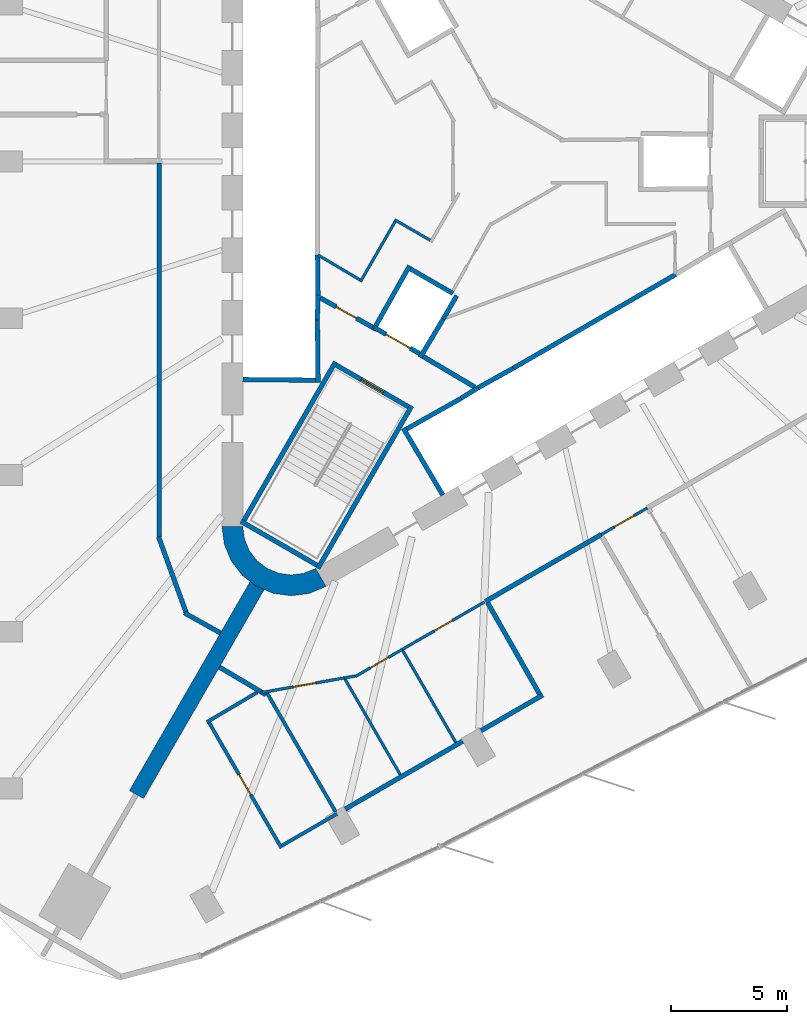
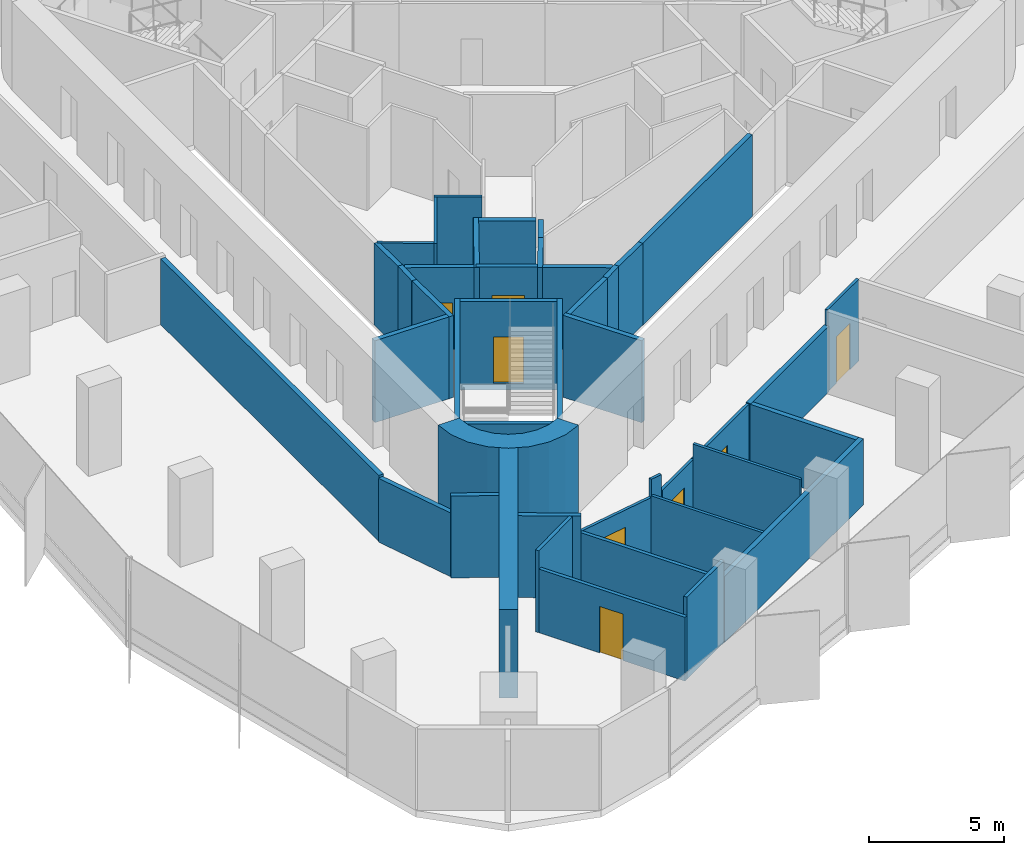
# One storey, part 8 of 14: 43 walls, 8 doors, 8 openings.
"""IFC4 building model written with IfcOpenShell, lengths in metres."""

from ifc_helpers import new_model, si_unit, direction, frame, frame_2d, origin, place, context, subcontext, project, spatial, polyline, rectangle, outline, extrude, material, layer, layer_set, type_object, element, fill, save


model = new_model("IFC4")

# Units and contexts
model_context = context("Model", 3, precision=1e-05, world=origin(), true_north=direction((0.0, 1.0)))
body_context = subcontext(model_context, "Body", "Model", "MODEL_VIEW")
ifc_project = project(units=[si_unit("LENGTHUNIT", "METRE"), si_unit("AREAUNIT", "SQUARE_METRE"), si_unit("VOLUMEUNIT", "CUBIC_METRE"), si_unit("PLANEANGLEUNIT", "RADIAN"), si_unit("MASSUNIT", "GRAM", prefix="KILO")], contexts=[model_context])

# Site, building, storey
site_placement = place(None, origin())
site = spatial("IfcSite", under=ifc_project, at=site_placement, CompositionType="ELEMENT")
building_placement = place(site_placement, origin())
building = spatial("IfcBuilding", under=site, at=building_placement, Name="Tanit Gate Tower", CompositionType="ELEMENT")
storey_placement = place(building_placement, frame((0.0, 0.0, 257.199951171875)))
storey = spatial("IfcBuildingStorey", under=building, at=storey_placement, Name="L58", CompositionType="ELEMENT", Elevation=257.199951171875)

# Walls
ifc_material_1 = material(Name="Concrete C50/60", Category="concrete")
ifc_layer_1 = layer(ifc_material_1, 0.699951171875)
ifc_layer_set_1 = layer_set([ifc_layer_1], Name="BUTTRESS FIN 700 C50/60")
wall_type_1 = type_object("IfcWallType", Name="BUTTRESS FIN 700 C50/60", PredefinedType="SHEAR", material=ifc_layer_set_1)
wall_1_placement = place(storey_placement, frame((-10.574951171875, -18.31640625, 0.0), z_axis=(0.0, 0.0, 1.0), x_axis=(-0.500010108608, -0.866019567498, 0.0)))
element("IfcWall", 1, at=wall_1_placement, inside=storey, type_object=wall_type_1, Name="BUTTRESS FIN", PredefinedType="SHEAR", context=body_context, shape_type="SweptSolid", body=[
    extrude(rectangle(XDim=10.432373046875, YDim=0.699951171875, at=frame_2d((5.21630859375, 0.0))), origin(), (0.0, 0.0, 1.0), 4.0),
])
ifc_material_2 = material(Name="Concrete C50/60", Category="concrete")
ifc_layer_2 = layer(ifc_material_2, 0.89990234375)
ifc_layer_set_2 = layer_set([ifc_layer_2], Name="CORE WALL 900 C50/60")
wall_type_2 = type_object("IfcWallType", Name="CORE WALL 900 C50/60", PredefinedType="SHEAR", material=ifc_layer_set_2)
wall_2_placement = place(storey_placement, origin())
element("IfcWall", 2, at=wall_2_placement, inside=storey, type_object=wall_type_2, Name="CORE WALL CORNER", PredefinedType="SHEAR", context=body_context, shape_type="SweptSolid", body=[
    extrude(outline(polyline([(-12.10009765625, -15.76171875), (-11.997802734375, -16.5380859375), (-11.697998046875, -17.26171875), (-11.22119140625, -17.883056640625), (-10.60009765625, -18.359619140625), (-9.87646484375, -18.659423828125), (-9.10009765625, -18.76171875), (-8.323486328125, -18.659423828125), (-7.60009765625, -18.359619140625), (-8.050048828125, -17.580322265625), (-8.556396484375, -17.7900390625), (-9.10009765625, -17.86181640625), (-9.6435546875, -17.7900390625), (-10.14990234375, -17.580322265625), (-10.5849609375, -17.24658203125), (-10.918701171875, -16.811767578125), (-11.12841796875, -16.30517578125), (-11.199951171875, -15.76171875), (-12.10009765625, -15.76171875)])), origin(), (0.0, 0.0, 1.0), 4.0),
])
ifc_material_3 = material(Name="Fire-rated gypsum board partition")
ifc_layer_3 = layer(ifc_material_3, 0.199951171875)
ifc_layer_set_3 = layer_set([ifc_layer_3], Name="INT-WALL-COMPARTMENT")
wall_type_3 = type_object("IfcWallType", Name="INT-WALL-COMPARTMENT", PredefinedType="PARTITIONING", material=ifc_layer_set_3)
wall_3_placement = place(storey_placement, frame((-3.400634765625, -8.43017578125, 0.0), z_axis=(0.0, 0.0, 1.0), x_axis=(0.860615607571, -0.509255118781, 0.0)))
element("IfcWall", 3, at=wall_3_placement, inside=storey, type_object=wall_type_3, Name="Wall Compartment W066", PredefinedType="PARTITIONING", context=body_context, shape_type="SweptSolid", body=[
    extrude(rectangle(XDim=2.58056640625, YDim=0.199951171875, at=frame_2d((1.290283203125, 0.0))), origin(), (0.0, 0.0, 1.0), 3.699951171875),
])

# Wall, opening, door
wall_4_placement = place(storey_placement, frame((-7.849365234375, -5.893798828125, 0.0), z_axis=(0.0, 0.0, 1.0), x_axis=(0.871363259478, -0.490638431059, 0.0)))
wall_4 = element("IfcWall", 4, at=wall_4_placement, inside=storey, type_object=wall_type_3, Name="Wall Compartment W067", PredefinedType="PARTITIONING", context=body_context, shape_type="SweptSolid", body=[
    extrude(rectangle(XDim=2.5810546875, YDim=0.199951171875, at=frame_2d((1.29052734375, 0.0))), origin(), (0.0, 0.0, 1.0), 3.699951171875),
])
opening_1_placement = place(wall_4_placement, frame((0.79052734375, 0.0, 0.0)))
opening_1 = element("IfcOpeningElement", 5, at=opening_1_placement, cuts=wall_4, Name="Opening F10-S16-08", PredefinedType="OPENING", context=body_context, shape_type="SweptSolid", body=[
    extrude(rectangle(XDim=1.0, YDim=2.10009765625, at=frame_2d((0.5, 1.050048828125))), frame((0.0, 0.10986328125, 0.0), z_axis=(0.0, -1.0, 0.0), x_axis=(1.0, 0.0, 0.0)), (0.0, 0.0, 1.0), 0.219970703125),
])
ifc_material_4 = material(Name="Fire-rated steel door leaf", Category="steel")
door_type_1 = type_object("IfcDoorType", Name="INT-DOOR-FIRE-1000", OperationType="NOTDEFINED", PredefinedType="USERDEFINED", material=ifc_material_4)
door_1_placement = place(opening_1_placement, origin())
door_1 = element("IfcDoor", 6, at=door_1_placement, inside=storey, type_object=door_type_1, Name="Door F10-S16-08", ObjectType="FIRE DOOR", OperationType="SINGLE_SWING_RIGHT", OverallHeight=2.10009765625, OverallWidth=1.0, PredefinedType="USERDEFINED", context=body_context, shape_type="SweptSolid", body=[
    extrude(rectangle(XDim=1.0, YDim=2.10009765625, at=frame_2d((0.5, 1.050048828125))), frame((0.0, 0.02490234375, 0.0), z_axis=(0.0, -1.0, 0.0), x_axis=(1.0, 0.0, 0.0)), (0.0, 0.0, 1.0), 0.050048828125),
])
fill(opening_1, door_1)

# Walls
wall_5_placement = place(storey_placement, frame((-13.722412109375, -19.499267578125, 0.0), z_axis=(0.0, 0.0, 1.0), x_axis=(0.873381780332, -0.487036205824, 0.0)))
element("IfcWall", 7, at=wall_5_placement, inside=storey, type_object=wall_type_3, Name="Wall Compartment W096", PredefinedType="PARTITIONING", context=body_context, shape_type="SweptSolid", body=[
    extrude(rectangle(XDim=1.78466796875, YDim=0.199951171875, at=frame_2d((0.892333984375, 0.0))), origin(), (0.0, 0.0, 1.0), 3.699951171875),
])
wall_6_placement = place(storey_placement, frame((-14.834228515625, -16.22314453125, 0.0), z_axis=(0.0, 0.0, 1.0), x_axis=(0.342017717312, -0.939693503779, 0.0)))
element("IfcWall", 8, at=wall_6_placement, inside=storey, type_object=wall_type_3, Name="Wall Compartment W097", PredefinedType="PARTITIONING", context=body_context, shape_type="SweptSolid", body=[
    extrude(rectangle(XDim=3.4970703125, YDim=0.199951171875, at=frame_2d((1.74853515625, 0.0))), origin(), (0.0, 0.0, 1.0), 2.880126953125),
])
wall_7_placement = place(storey_placement, frame((-14.800048828125, -0.070068359375, 0.0), z_axis=(0.0, 0.0, 1.0), x_axis=(0.0, -1.0, 0.0)))
element("IfcWall", 9, at=wall_7_placement, inside=storey, type_object=wall_type_3, Name="Wall Compartment W098", PredefinedType="PARTITIONING", context=body_context, shape_type="SweptSolid", body=[
    extrude(rectangle(XDim=16.14697265625, YDim=0.199951171875, at=frame_2d((8.073486328125, 0.0))), origin(), (0.0, 0.0, 1.0), 2.97998046875),
])
wall_8_placement = place(storey_placement, frame((-0.722900390625, -19.008056640625, 0.0), z_axis=(0.0, 0.0, 1.0), x_axis=(0.866014659605, 0.500018609004, 0.0)))
element("IfcWall", 10, at=wall_8_placement, inside=storey, type_object=wall_type_3, Name="Wall Compartment W115", PredefinedType="PARTITIONING", context=body_context, shape_type="SweptSolid", body=[
    extrude(rectangle(XDim=5.780029296875, YDim=0.199951171875, at=frame_2d((2.89013671875, 0.0))), origin(), (0.0, 0.0, 1.0), 2.97998046875),
])
wall_9_placement = place(storey_placement, frame((-12.207275390625, -21.843505859375, 0.0), z_axis=(0.0, 0.0, 1.0), x_axis=(0.859839010211, -0.510565251971, 0.0)))
element("IfcWall", 11, at=wall_9_placement, inside=storey, type_object=wall_type_3, Name="Wall Compartment W114", PredefinedType="PARTITIONING", context=body_context, shape_type="SweptSolid", body=[
    extrude(rectangle(XDim=2.341552734375, YDim=0.199951171875, at=frame_2d((1.1708984375, 0.0))), origin(), (0.0, 0.0, 1.0), 3.699951171875),
])
wall_10_placement = place(storey_placement, frame((1.759765625, -23.0478515625, 0.0), z_axis=(0.0, 0.0, 1.0), x_axis=(-0.866021621257, -0.500006551472, 0.0)))
element("IfcWall", 12, at=wall_10_placement, inside=storey, type_object=wall_type_3, Name="Wall Compartment W139", PredefinedType="PARTITIONING", context=body_context, shape_type="SweptSolid", body=[
    extrude(rectangle(XDim=10.265380859375, YDim=0.199951171875, at=frame_2d((5.1328125, 0.0))), origin(), (0.0, 0.0, 1.0), 2.97998046875),
])
wall_11_placement = place(storey_placement, frame((1.623779296875, -23.010986328125, 0.0), z_axis=(0.0, 0.0, 1.0), x_axis=(-0.49451654464, 0.869168215639, 0.0)))
element("IfcWall", 13, at=wall_11_placement, inside=storey, type_object=wall_type_3, Name="Wall Compartment W140", PredefinedType="PARTITIONING", context=body_context, shape_type="SweptSolid", body=[
    extrude(rectangle(XDim=4.5400390625, YDim=0.199951171875, at=frame_2d((2.27001953125, 0.0))), origin(), (0.0, 0.0, 1.0), 2.97998046875),
])
ifc_material_5 = material(Name="Gypsum board partition")
ifc_layer_4 = layer(ifc_material_5, 0.1201171875)
ifc_layer_set_4 = layer_set([ifc_layer_4], Name="INT-WALL-PARTITION")
wall_type_4 = type_object("IfcWallType", Name="INT-WALL-PARTITION", PredefinedType="PARTITIONING", material=ifc_layer_set_4)
wall_12_placement = place(storey_placement, frame((-4.64013671875, -2.51708984375, 0.0), z_axis=(0.0, 0.0, 1.0), x_axis=(0.866025242659, -0.500000279077, 0.0)))
element("IfcWall", 14, at=wall_12_placement, inside=storey, type_object=wall_type_4, Name="Wall Partition W084", PredefinedType="PARTITIONING", context=body_context, shape_type="SweptSolid", body=[
    extrude(rectangle(XDim=1.77490234375, YDim=0.1201171875, at=frame_2d((0.887451171875, 0.0))), origin(), (0.0, 0.0, 1.0), 3.699951171875),
])
wall_13_placement = place(storey_placement, frame((-6.1181640625, -5.197265625, 0.0), z_axis=(0.0, 0.0, 1.0), x_axis=(0.499990139034, 0.866031096941, 0.0)))
element("IfcWall", 15, at=wall_13_placement, inside=storey, type_object=wall_type_4, Name="Wall Partition W085", PredefinedType="PARTITIONING", context=body_context, shape_type="SweptSolid", body=[
    extrude(rectangle(XDim=3.0, YDim=0.1201171875, at=frame_2d((1.5, 0.0))), origin(), (0.0, 0.0, 1.0), 3.699951171875),
])
wall_14_placement = place(storey_placement, frame((-7.949951171875, -4.041015625, 0.0), z_axis=(0.0, 0.0, 1.0), x_axis=(0.860112457103, -0.510104461004, 0.0)))
element("IfcWall", 16, at=wall_14_placement, inside=storey, type_object=wall_type_4, Name="Wall Partition W086", PredefinedType="PARTITIONING", context=body_context, shape_type="SweptSolid", body=[
    extrude(rectangle(XDim=2.1044921875, YDim=0.1201171875, at=frame_2d((1.05224609375, 0.0))), origin(), (0.0, 0.0, 1.0), 3.699951171875),
])

# Wall, opening, door
wall_15_placement = place(storey_placement, frame((-6.33154296875, -22.24609375, 0.0), z_axis=(0.0, 0.0, 1.0), x_axis=(0.866059848015, 0.499940336097, 0.0)))
wall_15 = element("IfcWall", 17, at=wall_15_placement, inside=storey, type_object=wall_type_4, Name="Wall Partition W117", PredefinedType="PARTITIONING", context=body_context, shape_type="SweptSolid", body=[
    extrude(rectangle(XDim=2.327880859375, YDim=0.1201171875, at=frame_2d((1.1640625, 0.0))), origin(), (0.0, 0.0, 1.0), 2.97998046875),
])
opening_2_placement = place(wall_15_placement, frame((0.743896484375, 0.0, 0.0)))
opening_2 = element("IfcOpeningElement", 18, at=opening_2_placement, cuts=wall_15, Name="Opening D09-S16-24", PredefinedType="OPENING", context=body_context, shape_type="SweptSolid", body=[
    extrude(rectangle(XDim=0.89990234375, YDim=2.10009765625, at=frame_2d((0.449951171875, 1.050048828125))), frame((0.0, 0.070068359375, 0.0), z_axis=(0.0, -1.0, 0.0), x_axis=(1.0, 0.0, 0.0)), (0.0, 0.0, 1.0), 0.14013671875),
])
ifc_material_6 = material(Name="Timber door leaf", Category="wood")
door_type_2 = type_object("IfcDoorType", Name="INT-DOOR-SINGLE-900", OperationType="NOTDEFINED", PredefinedType="NOTDEFINED", material=ifc_material_6)
door_2_placement = place(opening_2_placement, origin())
door_2 = element("IfcDoor", 19, at=door_2_placement, inside=storey, type_object=door_type_2, Name="Door D09-S16-24", OperationType="SINGLE_SWING_RIGHT", OverallHeight=2.10009765625, OverallWidth=0.89990234375, PredefinedType="NOTDEFINED", context=body_context, shape_type="SweptSolid", body=[
    extrude(rectangle(XDim=0.89990234375, YDim=2.10009765625, at=frame_2d((0.449951171875, 1.050048828125))), frame((0.0, 0.02490234375, 0.0), z_axis=(0.0, -1.0, 0.0), x_axis=(1.0, 0.0, 0.0)), (0.0, 0.0, 1.0), 0.050048828125),
])
fill(opening_2, door_2)

wall_16_placement = place(storey_placement, frame((-4.3154296875, -21.082275390625, 0.0), z_axis=(0.0, 0.0, 1.0), x_axis=(0.866018339482, 0.500012235531, 0.0)))
wall_16 = element("IfcWall", 20, at=wall_16_placement, inside=storey, type_object=wall_type_4, Name="Wall Partition W116", PredefinedType="PARTITIONING", context=body_context, shape_type="SweptSolid", body=[
    extrude(rectangle(XDim=4.1083984375, YDim=0.1201171875, at=frame_2d((2.05419921875, 0.0))), origin(), (0.0, 0.0, 1.0), 2.97998046875),
])
opening_3_placement = place(wall_16_placement, frame((1.604248046875, 0.0, 0.0)))
opening_3 = element("IfcOpeningElement", 21, at=opening_3_placement, cuts=wall_16, Name="Opening D09-S16-23", PredefinedType="OPENING", context=body_context, shape_type="SweptSolid", body=[
    extrude(rectangle(XDim=0.89990234375, YDim=2.10009765625, at=frame_2d((0.449951171875, 1.050048828125))), frame((0.0, 0.070068359375, 0.0), z_axis=(0.0, -1.0, 0.0), x_axis=(1.0, 0.0, 0.0)), (0.0, 0.0, 1.0), 0.14013671875),
])
door_3_placement = place(opening_3_placement, origin())
door_3 = element("IfcDoor", 22, at=door_3_placement, inside=storey, type_object=door_type_2, Name="Door D09-S16-23", OperationType="SINGLE_SWING_LEFT", OverallHeight=2.10009765625, OverallWidth=0.89990234375, PredefinedType="NOTDEFINED", context=body_context, shape_type="SweptSolid", body=[
    extrude(rectangle(XDim=0.89990234375, YDim=2.10009765625, at=frame_2d((0.449951171875, 1.050048828125))), frame((0.0, 0.02490234375, 0.0), z_axis=(0.0, -1.0, 0.0), x_axis=(1.0, 0.0, 0.0)), (0.0, 0.0, 1.0), 0.050048828125),
])
fill(opening_3, door_3)

wall_17_placement = place(storey_placement, frame((4.28271484375, -16.117919921875, 0.0), z_axis=(0.0, 0.0, 1.0), x_axis=(0.866053019151, 0.499952165731, 0.0)))
wall_17 = element("IfcWall", 23, at=wall_17_placement, inside=storey, type_object=wall_type_4, Name="Wall Partition W109", PredefinedType="PARTITIONING", context=body_context, shape_type="SweptSolid", body=[
    extrude(rectangle(XDim=2.300048828125, YDim=0.1201171875, at=frame_2d((1.14990234375, 0.0))), origin(), (0.0, 0.0, 1.0), 3.699951171875),
])
opening_4_placement = place(wall_17_placement, frame((0.64990234375, 0.0, 0.0)))
opening_4 = element("IfcOpeningElement", 24, at=opening_4_placement, cuts=wall_17, Name="Opening D10-S16-22", PredefinedType="OPENING", context=body_context, shape_type="SweptSolid", body=[
    extrude(rectangle(XDim=1.0, YDim=2.10009765625, at=frame_2d((0.5, 1.050048828125))), frame((0.0, 0.070068359375, 0.0), z_axis=(0.0, -1.0, 0.0), x_axis=(1.0, 0.0, 0.0)), (0.0, 0.0, 1.0), 0.14013671875),
])
ifc_material_7 = material(Name="Timber door leaf", Category="wood")
door_type_3 = type_object("IfcDoorType", Name="INT-DOOR-SINGLE-1000", OperationType="NOTDEFINED", PredefinedType="NOTDEFINED", material=ifc_material_7)
door_4_placement = place(opening_4_placement, origin())
door_4 = element("IfcDoor", 25, at=door_4_placement, inside=storey, type_object=door_type_3, Name="Door D10-S16-22", OperationType="SINGLE_SWING_RIGHT", OverallHeight=2.10009765625, OverallWidth=1.0, PredefinedType="NOTDEFINED", context=body_context, shape_type="SweptSolid", body=[
    extrude(rectangle(XDim=1.0, YDim=2.10009765625, at=frame_2d((0.5, 1.050048828125))), frame((0.0, 0.02490234375, 0.0), z_axis=(0.0, -1.0, 0.0), x_axis=(1.0, 0.0, 0.0)), (0.0, 0.0, 1.0), 0.050048828125),
])
fill(opening_4, door_4)

wall_18_placement = place(storey_placement, frame((-10.44775390625, -22.951171875, 0.0), z_axis=(0.0, 0.0, 1.0), x_axis=(0.984811576761, 0.173626490713, 0.0)))
wall_18 = element("IfcWall", 26, at=wall_18_placement, inside=storey, type_object=wall_type_4, Name="Wall Partition W119", PredefinedType="PARTITIONING", context=body_context, shape_type="SweptSolid", body=[
    extrude(rectangle(XDim=3.6826171875, YDim=0.1201171875, at=frame_2d((1.84130859375, 0.0))), origin(), (0.0, 0.0, 1.0), 2.880126953125),
])
opening_5_placement = place(wall_18_placement, frame((1.44384765625, 0.0, 0.0)))
opening_5 = element("IfcOpeningElement", 27, at=opening_5_placement, cuts=wall_18, Name="Opening D10-S16-25", PredefinedType="OPENING", context=body_context, shape_type="SweptSolid", body=[
    extrude(rectangle(XDim=1.0, YDim=2.10009765625, at=frame_2d((0.5, 1.050048828125))), frame((0.0, 0.070068359375, 0.0), z_axis=(0.0, -1.0, 0.0), x_axis=(1.0, 0.0, 0.0)), (0.0, 0.0, 1.0), 0.14013671875),
])
door_5_placement = place(opening_5_placement, origin())
door_5 = element("IfcDoor", 28, at=door_5_placement, inside=storey, type_object=door_type_3, Name="Door D10-S16-25", OperationType="SINGLE_SWING_RIGHT", OverallHeight=2.10009765625, OverallWidth=1.0, PredefinedType="NOTDEFINED", context=body_context, shape_type="SweptSolid", body=[
    extrude(rectangle(XDim=1.0, YDim=2.10009765625, at=frame_2d((0.5, 1.050048828125))), frame((0.0, 0.02490234375, 0.0), z_axis=(0.0, -1.0, 0.0), x_axis=(1.0, 0.0, 0.0)), (0.0, 0.0, 1.0), 0.050048828125),
])
fill(opening_5, door_5)

# Walls
wall_19_placement = place(storey_placement, frame((-6.821044921875, -22.311767578125, 0.0), z_axis=(0.0, 0.0, 1.0), x_axis=(0.984758463347, 0.173927481634, 0.0)))
element("IfcWall", 29, at=wall_19_placement, inside=storey, type_object=wall_type_4, Name="Wall Partition W118", PredefinedType="PARTITIONING", context=body_context, shape_type="SweptSolid", body=[
    extrude(rectangle(XDim=0.489990234375, YDim=0.1201171875, at=frame_2d((0.2451171875, 0.0))), origin(), (0.0, 0.0, 1.0), 3.699951171875),
])
wall_20_placement = place(storey_placement, frame((-4.285400390625, -21.134033203125, 0.0), z_axis=(0.0, 0.0, 1.0), x_axis=(0.49999161165, -0.866030246746, 0.0)))
element("IfcWall", 30, at=wall_20_placement, inside=storey, type_object=wall_type_4, Name="Wall Partition W146", PredefinedType="PARTITIONING", context=body_context, shape_type="SweptSolid", body=[
    extrude(rectangle(XDim=4.580078125, YDim=0.1201171875, at=frame_2d((2.2900390625, 0.0))), origin(), (0.0, 0.0, 1.0), 3.699951171875),
])
wall_21_placement = place(storey_placement, frame((-4.39892578125, -26.48828125, 0.0), z_axis=(0.0, 0.0, 1.0), x_axis=(-0.499988794591, 0.866031873134, 0.0)))
element("IfcWall", 31, at=wall_21_placement, inside=storey, type_object=wall_type_4, Name="Wall Partition W147", PredefinedType="PARTITIONING", context=body_context, shape_type="SweptSolid", body=[
    extrude(rectangle(XDim=4.7607421875, YDim=0.1201171875, at=frame_2d((2.38037109375, 0.0))), origin(), (0.0, 0.0, 1.0), 2.97998046875),
])
ifc_material_8 = material(Name="Fire-rated gypsum board partition")
ifc_layer_5 = layer(ifc_material_8, 0.14990234375)
ifc_layer_set_5 = layer_set([ifc_layer_5], Name="INT-WALL-RISER")
wall_type_5 = type_object("IfcWallType", Name="INT-WALL-RISER", PredefinedType="PLUMBINGWALL", material=ifc_layer_set_5)
wall_22_placement = place(storey_placement, frame((-10.57421875, -22.930419921875, 0.0), z_axis=(0.0, 0.0, 1.0), x_axis=(-0.86012706177, -0.510079834547, 0.0)))
element("IfcWall", 32, at=wall_22_placement, inside=storey, type_object=wall_type_5, Name="Wall Riser W143", PredefinedType="PLUMBINGWALL", context=body_context, shape_type="SweptSolid", body=[
    extrude(rectangle(XDim=2.532470703125, YDim=0.14990234375, at=frame_2d((1.26611328125, 0.0))), origin(), (0.0, 0.0, 1.0), 3.699951171875),
])

# Wall, opening, door
wall_23_placement = place(storey_placement, frame((-12.650390625, -24.2490234375, 0.0), z_axis=(0.0, 0.0, 1.0), x_axis=(0.500027264788, -0.866009661879, 0.0)))
wall_23 = element("IfcWall", 33, at=wall_23_placement, inside=storey, type_object=wall_type_5, Name="Wall Riser W144", PredefinedType="PLUMBINGWALL", context=body_context, shape_type="SweptSolid", body=[
    extrude(rectangle(XDim=6.239990234375, YDim=0.14990234375, at=frame_2d((3.1201171875, 0.0))), origin(), (0.0, 0.0, 1.0), 2.880126953125),
])
opening_6_placement = place(wall_23_placement, frame((2.58251953125, 0.0, 0.0)))
opening_6 = element("IfcOpeningElement", 34, at=opening_6_placement, cuts=wall_23, Name="Opening F10-S16-26", PredefinedType="OPENING", context=body_context, shape_type="SweptSolid", body=[
    extrude(rectangle(XDim=1.0, YDim=2.10009765625, at=frame_2d((0.5, 1.050048828125))), frame((0.0, 0.0849609375, 0.0), z_axis=(0.0, -1.0, 0.0), x_axis=(1.0, 0.0, 0.0)), (0.0, 0.0, 1.0), 0.169921875),
])
door_6_placement = place(opening_6_placement, origin())
door_6 = element("IfcDoor", 35, at=door_6_placement, inside=storey, type_object=door_type_1, Name="Door F10-S16-26", ObjectType="FIRE DOOR", OperationType="SINGLE_SWING_RIGHT", OverallHeight=2.10009765625, OverallWidth=1.0, PredefinedType="USERDEFINED", context=body_context, shape_type="SweptSolid", body=[
    extrude(rectangle(XDim=1.0, YDim=2.10009765625, at=frame_2d((0.5, 1.050048828125))), frame((0.0, 0.02490234375, 0.0), z_axis=(0.0, -1.0, 0.0), x_axis=(1.0, 0.0, 0.0)), (0.0, 0.0, 1.0), 0.050048828125),
])
fill(opening_6, door_6)

# Walls
wall_24_placement = place(storey_placement, frame((-7.13037109375, -28.1806640625, 0.0), z_axis=(0.0, 0.0, 1.0), x_axis=(-0.866013438122, -0.500020724563, 0.0)))
element("IfcWall", 36, at=wall_24_placement, inside=storey, type_object=wall_type_5, Name="Wall Riser W145", PredefinedType="PLUMBINGWALL", context=body_context, shape_type="SweptSolid", body=[
    extrude(rectangle(XDim=2.73974609375, YDim=0.14990234375, at=frame_2d((1.369873046875, 0.0))), origin(), (0.0, 0.0, 1.0), 3.699951171875),
])
wall_25_placement = place(storey_placement, frame((-10.153076171875, -22.960205078125, 0.0), z_axis=(0.0, 0.0, 1.0), x_axis=(0.500025256787, -0.866010821281, 0.0)))
element("IfcWall", 37, at=wall_25_placement, inside=storey, type_object=wall_type_5, Name="Wall Riser W148", PredefinedType="PLUMBINGWALL", context=body_context, shape_type="SweptSolid", body=[
    extrude(rectangle(XDim=5.932373046875, YDim=0.14990234375, at=frame_2d((2.96630859375, 0.0))), origin(), (0.0, 0.0, 1.0), 2.880126953125),
])
ifc_material_9 = material(Name="Gypsum shaft wall system")
ifc_layer_6 = layer(ifc_material_9, 0.199951171875)
ifc_layer_set_6 = layer_set([ifc_layer_6], Name="INT-WALL-SHAFT")
wall_type_6 = type_object("IfcWallType", Name="INT-WALL-SHAFT", PredefinedType="PLUMBINGWALL", material=ifc_layer_set_6)
wall_26_placement = place(storey_placement, frame((-7.949951171875, -5.7724609375, 0.0), z_axis=(0.0, 0.0, 1.0), x_axis=(-0.030803413295, -0.999525462272, 0.0)))
element("IfcWall", 38, at=wall_26_placement, inside=storey, type_object=wall_type_6, Name="Wall Shaft W008", PredefinedType="PLUMBINGWALL", context=body_context, shape_type="SweptSolid", body=[
    extrude(rectangle(XDim=1.077880859375, YDim=0.199951171875, at=frame_2d((0.5390625, 0.0))), origin(), (0.0, 0.0, 1.0), 3.699951171875),
])
wall_27_placement = place(storey_placement, frame((-7.971435546875, -4.050048828125, 0.0), z_axis=(0.0, 0.0, 1.0), x_axis=(0.012042535896, -0.999927486035, 0.0)))
element("IfcWall", 39, at=wall_27_placement, inside=storey, type_object=wall_type_6, Name="Wall Shaft W009", PredefinedType="PLUMBINGWALL", context=body_context, shape_type="SweptSolid", body=[
    extrude(rectangle(XDim=1.844970703125, YDim=0.199951171875, at=frame_2d((0.92236328125, 0.0))), origin(), (0.0, 0.0, 1.0), 3.699951171875),
])
wall_28_placement = place(storey_placement, frame((-7.97900390625, -6.85009765625, 0.0), z_axis=(0.0, 0.0, 1.0), x_axis=(0.011121475088, -0.999938154483, 0.0)))
element("IfcWall", 40, at=wall_28_placement, inside=storey, type_object=wall_type_6, Name="Wall Shaft W010", PredefinedType="PLUMBINGWALL", context=body_context, shape_type="SweptSolid", body=[
    extrude(rectangle(XDim=2.7001953125, YDim=0.199951171875, at=frame_2d((1.35009765625, 0.0))), origin(), (0.0, 0.0, 1.0), 3.699951171875),
])
wall_29_placement = place(storey_placement, frame((-8.050048828125, -9.448974609375, 0.0), z_axis=(0.0, 0.0, 1.0), x_axis=(-0.999957467379, 0.009222983926, 0.0)))
element("IfcWall", 41, at=wall_29_placement, inside=storey, type_object=wall_type_6, Name="Wall Shaft W011", PredefinedType="PLUMBINGWALL", context=body_context, shape_type="SweptSolid", body=[
    extrude(rectangle(XDim=3.150146484375, YDim=0.199951171875, at=frame_2d((1.5751953125, 0.0))), origin(), (0.0, 0.0, 1.0), 3.699951171875),
])
wall_30_placement = place(storey_placement, frame((0.482666015625, -8.935791015625, 0.0), z_axis=(0.0, 0.0, 1.0), x_axis=(0.866030989016, 0.499990325971, 0.0)))
element("IfcWall", 42, at=wall_30_placement, inside=storey, type_object=wall_type_6, Name="Wall Shaft W023", PredefinedType="PLUMBINGWALL", context=body_context, shape_type="SweptSolid", body=[
    extrude(rectangle(XDim=8.099853515625, YDim=0.199951171875, at=frame_2d((4.0498046875, 0.0))), origin(), (0.0, 0.0, 1.0), 3.699951171875),
])
wall_31_placement = place(storey_placement, frame((-2.557861328125, -14.409423828125, 0.0), z_axis=(0.0, 0.0, 1.0), x_axis=(-0.507997497166, 0.861358544901, 0.0)))
element("IfcWall", 43, at=wall_31_placement, inside=storey, type_object=wall_type_6, Name="Wall Shaft W019", PredefinedType="PLUMBINGWALL", context=body_context, shape_type="SweptSolid", body=[
    extrude(rectangle(XDim=3.350341796875, YDim=0.199951171875, at=frame_2d((1.67529296875, 0.0))), origin(), (0.0, 0.0, 1.0), 3.699951171875),
])
wall_32_placement = place(storey_placement, frame((-1.7685546875, -10.23681640625, 0.0), z_axis=(0.0, 0.0, 1.0), x_axis=(-0.871534483978, -0.490334215854, 0.0)))
element("IfcWall", 44, at=wall_32_placement, inside=storey, type_object=wall_type_6, Name="Wall Shaft W020", PredefinedType="PLUMBINGWALL", context=body_context, shape_type="SweptSolid", body=[
    extrude(rectangle(XDim=2.7001953125, YDim=0.199951171875, at=frame_2d((1.35009765625, 0.0))), origin(), (0.0, 0.0, 1.0), 3.699951171875),
])
wall_33_placement = place(storey_placement, frame((-1.02392578125, -9.77099609375, 0.0), z_axis=(0.0, 0.0, 1.0), x_axis=(-0.850348075135, -0.526220629693, 0.0)))
element("IfcWall", 45, at=wall_33_placement, inside=storey, type_object=wall_type_6, Name="Wall Shaft W021", PredefinedType="PLUMBINGWALL", context=body_context, shape_type="SweptSolid", body=[
    extrude(rectangle(XDim=0.878173828125, YDim=0.199951171875, at=frame_2d((0.43896484375, 0.0))), origin(), (0.0, 0.0, 1.0), 3.699951171875),
])
wall_34_placement = place(storey_placement, frame((-1.130126953125, -9.831298828125, 0.0), z_axis=(0.0, 0.0, 1.0), x_axis=(0.874269620932, 0.485440655401, 0.0)))
element("IfcWall", 46, at=wall_34_placement, inside=storey, type_object=wall_type_6, Name="Wall Shaft W022", PredefinedType="PLUMBINGWALL", context=body_context, shape_type="SweptSolid", body=[
    extrude(rectangle(XDim=1.8447265625, YDim=0.199951171875, at=frame_2d((0.92236328125, 0.0))), origin(), (0.0, 0.0, 1.0), 3.699951171875),
])

# Wall, opening, door
wall_35_placement = place(storey_placement, frame((-3.44580078125, -8.3681640625, 0.0), z_axis=(0.0, 0.0, 1.0), x_axis=(-0.866024647952, 0.500001309137, 0.0)))
wall_35 = element("IfcWall", 47, at=wall_35_placement, inside=storey, type_object=wall_type_6, Name="Wall Shaft W045", PredefinedType="PLUMBINGWALL", context=body_context, shape_type="SweptSolid", body=[
    extrude(rectangle(XDim=2.39990234375, YDim=0.199951171875, at=frame_2d((1.199951171875, 0.0))), origin(), (0.0, 0.0, 1.0), 3.699951171875),
])
opening_7_placement = place(wall_35_placement, frame((0.60009765625, 0.0, 0.0)))
opening_7 = element("IfcOpeningElement", 48, at=opening_7_placement, cuts=wall_35, Name="Opening LDFL3-L58", PredefinedType="OPENING", context=body_context, shape_type="SweptSolid", body=[
    extrude(rectangle(XDim=1.199951171875, YDim=2.39990234375, at=frame_2d((0.60009765625, 1.199951171875))), frame((0.0, 0.10986328125, 0.0), z_axis=(0.0, -1.0, 0.0), x_axis=(1.0, 0.0, 0.0)), (0.0, 0.0, 1.0), 0.219970703125),
])
ifc_material_10 = material(Name="Stainless steel sliding door leaf", Category="steel")
door_type_4 = type_object("IfcDoorType", Name="INT-DOOR-LANDING-1200", OperationType="NOTDEFINED", PredefinedType="USERDEFINED", material=ifc_material_10)
door_7_placement = place(opening_7_placement, origin())
door_7 = element("IfcDoor", 49, at=door_7_placement, inside=storey, type_object=door_type_4, Name="Door LDFL3-L58", ObjectType="LANDING DOOR", OperationType="SLIDING_TO_LEFT", OverallHeight=2.39990234375, OverallWidth=1.199951171875, PredefinedType="USERDEFINED", context=body_context, shape_type="SweptSolid", body=[
    extrude(rectangle(XDim=1.199951171875, YDim=2.39990234375, at=frame_2d((0.60009765625, 1.199951171875))), frame((0.0, 0.02490234375, 0.0), z_axis=(0.0, -1.0, 0.0), x_axis=(1.0, 0.0, 0.0)), (0.0, 0.0, 1.0), 0.050048828125),
])
fill(opening_7, door_7)

# Walls
wall_36_placement = place(storey_placement, frame((-1.960693359375, -5.796142578125, 0.0), z_axis=(0.0, 0.0, 1.0), x_axis=(-0.500074377092, -0.865982457891, 0.0)))
element("IfcWall", 50, at=wall_36_placement, inside=storey, type_object=wall_type_6, Name="Wall Shaft W046", PredefinedType="PLUMBINGWALL", context=body_context, shape_type="SweptSolid", body=[
    extrude(rectangle(XDim=1.160888671875, YDim=0.199951171875, at=frame_2d((0.58056640625, 0.0))), origin(), (0.0, 0.0, 1.0), 3.699951171875),
])
wall_37_placement = place(storey_placement, frame((-2.541748046875, -6.80126953125, 0.0), z_axis=(0.0, 0.0, 1.0), x_axis=(-0.51375503712, -0.857936921827, 0.0)))
element("IfcWall", 51, at=wall_37_placement, inside=storey, type_object=wall_type_6, Name="Wall Shaft W047", PredefinedType="PLUMBINGWALL", context=body_context, shape_type="SweptSolid", body=[
    extrude(rectangle(XDim=1.939208984375, YDim=0.199951171875, at=frame_2d((0.9697265625, 0.0))), origin(), (0.0, 0.0, 1.0), 3.699951171875),
])
wall_38_placement = place(storey_placement, frame((-3.989990234375, -4.509033203125, 0.0), z_axis=(0.0, 0.0, 1.0), x_axis=(-0.491358283181, -0.870957540612, 0.0)))
element("IfcWall", 52, at=wall_38_placement, inside=storey, type_object=wall_type_6, Name="Wall Shaft W048", PredefinedType="PLUMBINGWALL", context=body_context, shape_type="SweptSolid", body=[
    extrude(rectangle(XDim=3.200439453125, YDim=0.199951171875, at=frame_2d((1.60009765625, 0.0))), origin(), (0.0, 0.0, 1.0), 3.699951171875),
])
wall_39_placement = place(storey_placement, frame((-3.95263671875, -4.646240234375, 0.0), z_axis=(0.0, 0.0, 1.0), x_axis=(0.866060616833, -0.499939004251, 0.0)))
element("IfcWall", 53, at=wall_39_placement, inside=storey, type_object=wall_type_6, Name="Wall Shaft W049", PredefinedType="PLUMBINGWALL", context=body_context, shape_type="SweptSolid", body=[
    extrude(rectangle(XDim=2.114501953125, YDim=0.199951171875, at=frame_2d((1.05712890625, 0.0))), origin(), (0.0, 0.0, 1.0), 3.699951171875),
])
ifc_material_11 = material(Name="Concrete C40/50", Category="concrete")
ifc_layer_7 = layer(ifc_material_11, 0.199951171875)
ifc_layer_set_7 = layer_set([ifc_layer_7], Name="INT-WALL-STAIR")
wall_type_7 = type_object("IfcWallType", Name="INT-WALL-STAIR", PredefinedType="SHEAR", material=ifc_layer_set_7)
wall_40_placement = place(storey_placement, frame((-3.904541015625, -10.56298828125, -0.300048828125), z_axis=(0.0, 0.0, 1.0), x_axis=(-0.500012932018, -0.866017937352, 0.0)))
element("IfcWall", 54, at=wall_40_placement, inside=storey, type_object=wall_type_7, Name="Wall Stair W041", PredefinedType="SHEAR", context=body_context, shape_type="SweptSolid", body=[
    extrude(rectangle(XDim=8.099853515625, YDim=0.199951171875, at=frame_2d((4.0498046875, 0.0))), origin(), (0.0, 0.0, 1.0), 4.0),
])
wall_41_placement = place(storey_placement, frame((-11.281982421875, -15.541015625, -0.300048828125), z_axis=(0.0, 0.0, 1.0), x_axis=(0.866000483506, -0.500043160704, 0.0)))
element("IfcWall", 55, at=wall_41_placement, inside=storey, type_object=wall_type_7, Name="Wall Stair W042", PredefinedType="SHEAR", context=body_context, shape_type="SweptSolid", body=[
    extrude(rectangle(XDim=3.800048828125, YDim=0.199951171875, at=frame_2d((1.89990234375, 0.0))), origin(), (0.0, 0.0, 1.0), 4.0),
])
wall_42_placement = place(storey_placement, frame((-7.195556640625, -8.662841796875, -0.300048828125), z_axis=(0.0, 0.0, 1.0), x_axis=(-0.499997992926, -0.866026562566, 0.0)))
element("IfcWall", 56, at=wall_42_placement, inside=storey, type_object=wall_type_7, Name="Wall Stair W043", PredefinedType="SHEAR", context=body_context, shape_type="SweptSolid", body=[
    extrude(rectangle(XDim=7.89990234375, YDim=0.199951171875, at=frame_2d((3.949951171875, 0.0))), origin(), (0.0, 0.0, 1.0), 4.0),
])

# Wall, opening, door
wall_43_placement = place(storey_placement, frame((-4.041259765625, -10.599365234375, -0.300048828125), z_axis=(0.0, 0.0, 1.0), x_axis=(-0.866047807691, 0.499961193289, 0.0)))
wall_43 = element("IfcWall", 57, at=wall_43_placement, inside=storey, type_object=wall_type_7, Name="Wall Stair W044", PredefinedType="SHEAR", context=body_context, shape_type="SweptSolid", body=[
    extrude(rectangle(XDim=3.599853515625, YDim=0.199951171875, at=frame_2d((1.7998046875, 0.0))), origin(), (0.0, 0.0, 1.0), 4.0),
])
opening_8_placement = place(wall_43_placement, frame((1.25, 0.0, 0.300048828125)))
opening_8 = element("IfcOpeningElement", 58, at=opening_8_placement, cuts=wall_43, Name="Opening S11-S16-07", PredefinedType="OPENING", context=body_context, shape_type="SweptSolid", body=[
    extrude(rectangle(XDim=1.10009765625, YDim=2.10009765625, at=frame_2d((0.550048828125, 1.050048828125))), frame((0.0, 0.10986328125, 0.0), z_axis=(0.0, -1.0, 0.0), x_axis=(1.0, 0.0, 0.0)), (0.0, 0.0, 1.0), 0.219970703125),
])
ifc_material_12 = material(Name="Timber door leaf", Category="wood")
door_type_5 = type_object("IfcDoorType", Name="INT-DOOR-STAIR-1100", OperationType="NOTDEFINED", PredefinedType="USERDEFINED", material=ifc_material_12)
door_8_placement = place(opening_8_placement, origin())
door_8 = element("IfcDoor", 59, at=door_8_placement, inside=storey, type_object=door_type_5, Name="Door S11-S16-07", ObjectType="FIRE DOOR", OperationType="SINGLE_SWING_LEFT", OverallHeight=2.10009765625, OverallWidth=1.10009765625, PredefinedType="USERDEFINED", context=body_context, shape_type="SweptSolid", body=[
    extrude(rectangle(XDim=1.10009765625, YDim=2.10009765625, at=frame_2d((0.550048828125, 1.050048828125))), frame((0.0, 0.02490234375, 0.0), z_axis=(0.0, -1.0, 0.0), x_axis=(1.0, 0.0, 0.0)), (0.0, 0.0, 1.0), 0.050048828125),
])
fill(opening_8, door_8)

save(model, "model.ifc")
